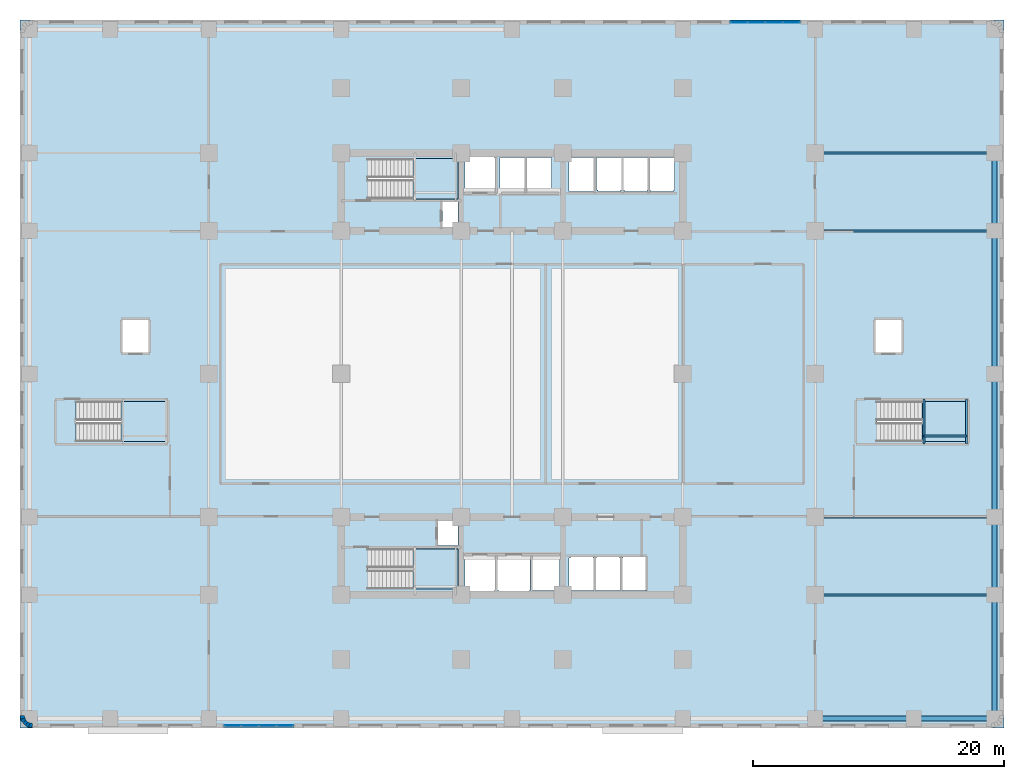
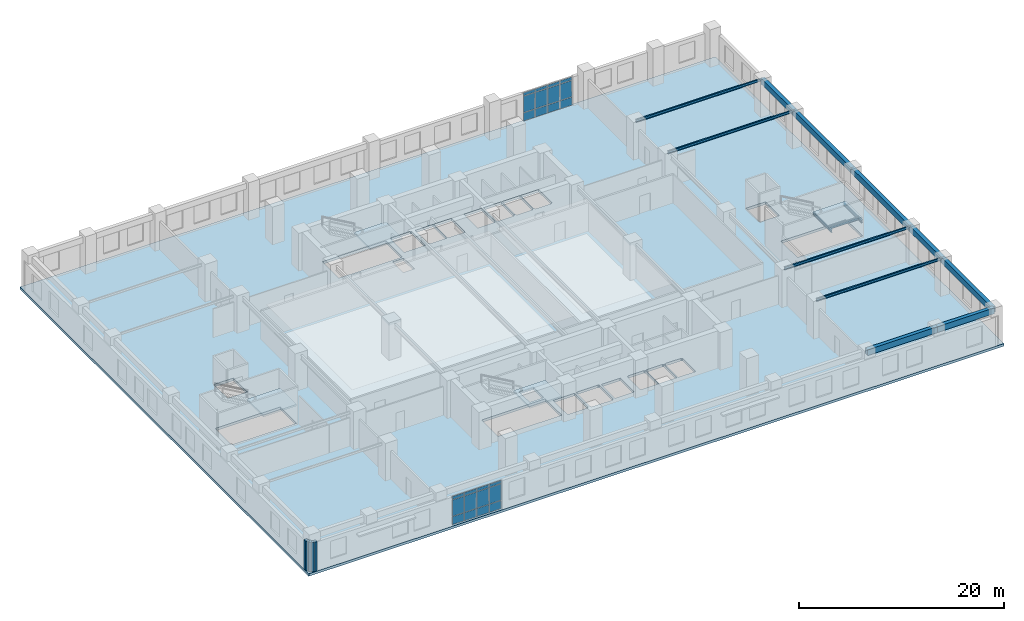
# One storey, part 5 of 16: 24 plates, 14 beams, 5 slabs, 5 walls, 6 elements without a shape of their own.
"""IFC4 building model written with IfcOpenShell, lengths in metres."""

from ifc_helpers import new_model, si_unit, direction, frame, frame_2d, origin, origin_2d, place, context, subcontext, project, spatial, polyline, rectangle, i_section, outline, extrude, material, layer, layer_set, material_profile, profile_set, type_object, element, aggregate, save


model = new_model("IFC4")

# Units and contexts
model_context = context("Model", 3, precision=1e-05, world=origin(), true_north=direction((0.0, 1.0)))
body_context = subcontext(model_context, "Body", "Model", "MODEL_VIEW")
ifc_project = project(units=[si_unit("LENGTHUNIT", "METRE"), si_unit("AREAUNIT", "SQUARE_METRE"), si_unit("VOLUMEUNIT", "CUBIC_METRE"), si_unit("PLANEANGLEUNIT", "RADIAN"), si_unit("MASSUNIT", "GRAM", prefix="KILO")], contexts=[model_context])

# Site, building, storey
site_placement = place(None, origin())
site = spatial("IfcSite", under=ifc_project, at=site_placement, CompositionType="ELEMENT")
building_placement = place(site_placement, origin())
building = spatial("IfcBuilding", under=site, at=building_placement, Name="Svetorya Sky Lyceum", CompositionType="ELEMENT")
storey_placement = place(building_placement, frame((0.0, 0.0, 11.10009765625)))
storey = spatial("IfcBuildingStorey", under=building, at=storey_placement, Name="L02", CompositionType="ELEMENT", Elevation=11.10009765625)

# Beams
ifc_material_1 = material(Name="Concrete C50/60", Category="concrete")
ifc_material_profile_1 = material_profile(ifc_material_1, rectangle(XDim=0.39990234375, YDim=0.699951171875, at=origin_2d()), Name="RC SPANDREL 400x700")
ifc_profile_set_1 = profile_set([ifc_material_profile_1], Name="Concrete C50/60")
beam_type_1 = type_object("IfcBeamType", Name="BM-SPN-700", PredefinedType="SPANDREL", material=ifc_profile_set_1)
beam_1_placement = place(storey_placement, frame((63.35009765625, 0.75, 3.849853515625), z_axis=(1.0, 0.0, 0.0), x_axis=(0.0, 1.0, 0.0)))
element("IfcBeam", 1, at=beam_1_placement, inside=storey, type_object=beam_type_1, Name="L02 Podium South Spandrel 7", PredefinedType="SPANDREL", context=body_context, shape_type="SweptSolid", body=[
    extrude(rectangle(XDim=0.39990234375, YDim=0.699951171875, at=origin_2d()), origin(), (0.0, 0.0, 1.0), 7.849853515625),
])
beam_2_placement = place(storey_placement, frame((71.199951171875, 0.75, 3.849853515625), z_axis=(1.0, 0.0, 0.0), x_axis=(0.0, 1.0, 0.0)))
element("IfcBeam", 2, at=beam_2_placement, inside=storey, type_object=beam_type_1, Name="L02 Podium South Spandrel 8", PredefinedType="SPANDREL", context=body_context, shape_type="SweptSolid", body=[
    extrude(rectangle(XDim=0.39990234375, YDim=0.699951171875, at=origin_2d()), origin(), (0.0, 0.0, 1.0), 6.449951171875),
])
beam_3_placement = place(storey_placement, frame((77.64990234375, 0.75, 3.849853515625), z_axis=(0.0, 1.0, 0.0), x_axis=(-1.0, 0.0, 0.0)))
element("IfcBeam", 3, at=beam_3_placement, inside=storey, type_object=beam_type_1, Name="L02 Podium East Spandrel 1", PredefinedType="SPANDREL", context=body_context, shape_type="SweptSolid", body=[
    extrude(rectangle(XDim=0.39990234375, YDim=0.699951171875, at=origin_2d()), origin(), (0.0, 0.0, 1.0), 9.85009765625),
])
beam_4_placement = place(storey_placement, frame((77.64990234375, 10.60009765625, 3.849853515625), z_axis=(0.0, 1.0, 0.0), x_axis=(-1.0, 0.0, 0.0)))
element("IfcBeam", 4, at=beam_4_placement, inside=storey, type_object=beam_type_1, Name="L02 Podium East Spandrel 2", PredefinedType="SPANDREL", context=body_context, shape_type="SweptSolid", body=[
    extrude(rectangle(XDim=0.39990234375, YDim=0.699951171875, at=origin_2d()), origin(), (0.0, 0.0, 1.0), 6.199951171875),
])
beam_5_placement = place(storey_placement, frame((77.64990234375, 16.800048828125, 3.849853515625), z_axis=(0.0, 1.0, 0.0), x_axis=(-1.0, 0.0, 0.0)))
element("IfcBeam", 5, at=beam_5_placement, inside=storey, type_object=beam_type_1, Name="L02 Podium East Spandrel 3", PredefinedType="SPANDREL", context=body_context, shape_type="SweptSolid", body=[
    extrude(rectangle(XDim=0.39990234375, YDim=0.699951171875, at=origin_2d()), origin(), (0.0, 0.0, 1.0), 11.39990234375),
])
beam_6_placement = place(storey_placement, frame((77.64990234375, 28.199951171875, 3.849853515625), z_axis=(0.0, 1.0, 0.0), x_axis=(-1.0, 0.0, 0.0)))
element("IfcBeam", 6, at=beam_6_placement, inside=storey, type_object=beam_type_1, Name="L02 Podium East Spandrel 4", PredefinedType="SPANDREL", context=body_context, shape_type="SweptSolid", body=[
    extrude(rectangle(XDim=0.39990234375, YDim=0.699951171875, at=origin_2d()), origin(), (0.0, 0.0, 1.0), 11.400146484375),
])
beam_7_placement = place(storey_placement, frame((77.64990234375, 39.60009765625, 3.849853515625), z_axis=(0.0, 1.0, 0.0), x_axis=(-1.0, 0.0, 0.0)))
element("IfcBeam", 7, at=beam_7_placement, inside=storey, type_object=beam_type_1, Name="L02 Podium East Spandrel 5", PredefinedType="SPANDREL", context=body_context, shape_type="SweptSolid", body=[
    extrude(rectangle(XDim=0.39990234375, YDim=0.699951171875, at=origin_2d()), origin(), (0.0, 0.0, 1.0), 6.199951171875),
])
ifc_material_2 = material(Name="Steel S355", Category="steel")
ifc_material_profile_2 = material_profile(ifc_material_2, i_section(OverallWidth=0.14990234375, OverallDepth=0.299072265625, WebThickness=0.006591796875, FlangeThickness=0.010498046875, at=origin_2d()), Name="GOST 30B2")
ifc_profile_set_2 = profile_set([ifc_material_profile_2], Name="Steel S355")
beam_type_2 = type_object("IfcBeamType", Name="BM-STL-30B2", PredefinedType="JOIST", material=ifc_profile_set_2)
for number, where, z_axis, x_axis, name in (
    (8, (63.35009765625, 10.60009765625, 4.05029296875), (1.0, 0.0, 0.0), (0.0, 1.0, 0.0), "L02 Podium Wing Joist E1"),
    (9, (63.35009765625, 16.800048828125, 4.05029296875), (1.0, 0.0, 0.0), (0.0, 1.0, 0.0), "L02 Podium Wing Joist E2"),
    (10, (63.35009765625, 39.60009765625, 4.05029296875), (1.0, 0.0, 0.0), (0.0, 1.0, 0.0), "L02 Podium Wing Joist E3"),
    (11, (63.35009765625, 45.800048828125, 4.05029296875), (1.0, 0.0, 0.0), (0.0, 1.0, 0.0), "L02 Podium Wing Joist E4"),
):
    element("IfcBeam", number, at=place(storey_placement, frame(where, z_axis=z_axis, x_axis=x_axis)), inside=storey, type_object=beam_type_2, Name=name, PredefinedType="JOIST", context=body_context, shape_type="SweptSolid", body=[
        extrude(i_section(OverallWidth=0.14990234375, OverallDepth=0.299072265625, WebThickness=0.006591796875, FlangeThickness=0.010498046875, at=origin_2d()), origin(), (0.0, 0.0, 1.0), 14.2998046875),
    ])
for number, where, z_axis, x_axis, name in (
    (12, (72.030029296875, 22.60009765625, 1.900390625), (0.0, 1.0, 0.0), (-1.0, 0.0, 0.0), "L02 Stair ST-SCH-E Half-Landing Support Beam 3.1"),
    (13, (75.419921875, 22.60009765625, 1.900390625), (0.0, 1.0, 0.0), (-1.0, 0.0, 0.0), "L02 Stair ST-SCH-E Half-Landing Support Beam 3.2"),
):
    element("IfcBeam", number, at=place(storey_placement, frame(where, z_axis=z_axis, x_axis=x_axis)), inside=storey, type_object=beam_type_2, Name=name, PredefinedType="JOIST", context=body_context, shape_type="SweptSolid", body=[
        extrude(i_section(OverallWidth=0.14990234375, OverallDepth=0.299072265625, WebThickness=0.006591796875, FlangeThickness=0.010498046875, at=origin_2d()), origin(), (0.0, 0.0, 1.0), 3.599853515625),
    ])
beam_8_placement = place(storey_placement, frame((72.030029296875, 23.25, 1.900390625), z_axis=(1.0, 0.0, 0.0), x_axis=(0.0, 1.0, 0.0)))
element("IfcBeam", 14, at=beam_8_placement, inside=storey, type_object=beam_type_2, Name="L02 Stair ST-SCH-E Half-Landing Cross Tie 3", PredefinedType="JOIST", context=body_context, shape_type="SweptSolid", body=[
    extrude(i_section(OverallWidth=0.14990234375, OverallDepth=0.299072265625, WebThickness=0.006591796875, FlangeThickness=0.010498046875, at=origin_2d()), origin(), (0.0, 0.0, 1.0), 3.389892578125),
])

# Curtain wall, plates
ifc_material_3 = material(Name="Thermally broken anodized aluminium and triple low-E glass", Category="aluminium")
curtain_wall_type = type_object("IfcCurtainWallType", Name="CW2-SCH-RIB", PredefinedType="NOTDEFINED", material=ifc_material_3)
curtain_wall_1_placement = place(storey_placement, origin())
curtain_wall_1 = element("IfcCurtainWall", 15, at=curtain_wall_1_placement, inside=storey, type_object=curtain_wall_type, Name="L02 Lyceum Classroom Ribbon Curtain Wall 6", PredefinedType="NOTDEFINED")
ifc_material_4 = material(Name="Triple insulated low-E solar-control glass", Category="glass")
ifc_layer_1 = layer(ifc_material_4, 0.048095703125)
ifc_layer_set_1 = layer_set([ifc_layer_1], Name="Triple insulated low-E solar-control glass")
plate_type = type_object("IfcPlateType", Name="CWP-GLZ-48", PredefinedType="CURTAIN_PANEL", material=ifc_layer_set_1)
plate_1_placement = place(storey_placement, frame((16.9462890625, 0.179931640625, 0.0634765625), z_axis=(0.0, 0.0, 1.0), x_axis=(1.0, 0.0, 0.0)))
plate_1 = element("IfcPlate", 16, at=plate_1_placement, type_object=plate_type, Name="CW-2 panel 1.1", PredefinedType="CURTAIN_PANEL", context=body_context, shape_type="SweptSolid", body=[
    extrude(rectangle(XDim=1.305419921875, YDim=0.048095703125, at=origin_2d()), origin(), (0.0, 0.0, 1.0), 0.949462890625),
])
plate_2_placement = place(storey_placement, frame((16.9462890625, 0.179931640625, 1.07470703125), z_axis=(0.0, 0.0, 1.0), x_axis=(1.0, 0.0, 0.0)))
plate_2 = element("IfcPlate", 17, at=plate_2_placement, type_object=plate_type, Name="CW-2 panel 1.2", PredefinedType="CURTAIN_PANEL", context=body_context, shape_type="SweptSolid", body=[
    extrude(rectangle(XDim=1.305419921875, YDim=0.048095703125, at=origin_2d()), origin(), (0.0, 0.0, 1.0), 1.924072265625),
])
plate_3_placement = place(storey_placement, frame((16.9462890625, 0.179931640625, 3.06103515625), z_axis=(0.0, 0.0, 1.0), x_axis=(1.0, 0.0, 0.0)))
plate_3 = element("IfcPlate", 18, at=plate_3_placement, type_object=plate_type, Name="CW-2 panel 1.3", PredefinedType="CURTAIN_PANEL", context=body_context, shape_type="SweptSolid", body=[
    extrude(rectangle(XDim=1.305419921875, YDim=0.048095703125, at=origin_2d()), origin(), (0.0, 0.0, 1.0), 0.35546875),
])
plate_4_placement = place(storey_placement, frame((18.330078125, 0.179931640625, 0.0634765625), z_axis=(0.0, 0.0, 1.0), x_axis=(1.0, 0.0, 0.0)))
plate_4 = element("IfcPlate", 19, at=plate_4_placement, type_object=plate_type, Name="CW-2 panel 2.1", PredefinedType="CURTAIN_PANEL", context=body_context, shape_type="SweptSolid", body=[
    extrude(rectangle(XDim=1.337890625, YDim=0.048095703125, at=origin_2d()), origin(), (0.0, 0.0, 1.0), 0.949462890625),
])
plate_5_placement = place(storey_placement, frame((18.330078125, 0.179931640625, 1.07470703125), z_axis=(0.0, 0.0, 1.0), x_axis=(1.0, 0.0, 0.0)))
plate_5 = element("IfcPlate", 20, at=plate_5_placement, type_object=plate_type, Name="CW-2 panel 2.2", PredefinedType="CURTAIN_PANEL", context=body_context, shape_type="SweptSolid", body=[
    extrude(rectangle(XDim=1.337890625, YDim=0.048095703125, at=origin_2d()), origin(), (0.0, 0.0, 1.0), 1.924072265625),
])
plate_6_placement = place(storey_placement, frame((18.330078125, 0.179931640625, 3.06103515625), z_axis=(0.0, 0.0, 1.0), x_axis=(1.0, 0.0, 0.0)))
plate_6 = element("IfcPlate", 21, at=plate_6_placement, type_object=plate_type, Name="CW-2 panel 2.3", PredefinedType="CURTAIN_PANEL", context=body_context, shape_type="SweptSolid", body=[
    extrude(rectangle(XDim=1.337890625, YDim=0.048095703125, at=origin_2d()), origin(), (0.0, 0.0, 1.0), 0.35546875),
])
plate_7_placement = place(storey_placement, frame((19.72998046875, 0.179931640625, 0.0634765625), z_axis=(0.0, 0.0, 1.0), x_axis=(1.0, 0.0, 0.0)))
plate_7 = element("IfcPlate", 22, at=plate_7_placement, type_object=plate_type, Name="CW-2 panel 3.1", PredefinedType="CURTAIN_PANEL", context=body_context, shape_type="SweptSolid", body=[
    extrude(rectangle(XDim=1.337890625, YDim=0.048095703125, at=origin_2d()), origin(), (0.0, 0.0, 1.0), 0.949462890625),
])
plate_8_placement = place(storey_placement, frame((19.72998046875, 0.179931640625, 1.07470703125), z_axis=(0.0, 0.0, 1.0), x_axis=(1.0, 0.0, 0.0)))
plate_8 = element("IfcPlate", 23, at=plate_8_placement, type_object=plate_type, Name="CW-2 panel 3.2", PredefinedType="CURTAIN_PANEL", context=body_context, shape_type="SweptSolid", body=[
    extrude(rectangle(XDim=1.337890625, YDim=0.048095703125, at=origin_2d()), origin(), (0.0, 0.0, 1.0), 1.924072265625),
])
plate_9_placement = place(storey_placement, frame((19.72998046875, 0.179931640625, 3.06103515625), z_axis=(0.0, 0.0, 1.0), x_axis=(1.0, 0.0, 0.0)))
plate_9 = element("IfcPlate", 24, at=plate_9_placement, type_object=plate_type, Name="CW-2 panel 3.3", PredefinedType="CURTAIN_PANEL", context=body_context, shape_type="SweptSolid", body=[
    extrude(rectangle(XDim=1.337890625, YDim=0.048095703125, at=origin_2d()), origin(), (0.0, 0.0, 1.0), 0.35546875),
])
plate_10_placement = place(storey_placement, frame((21.11376953125, 0.179931640625, 0.0634765625), z_axis=(0.0, 0.0, 1.0), x_axis=(1.0, 0.0, 0.0)))
plate_10 = element("IfcPlate", 25, at=plate_10_placement, type_object=plate_type, Name="CW-2 panel 4.1", PredefinedType="CURTAIN_PANEL", context=body_context, shape_type="SweptSolid", body=[
    extrude(rectangle(XDim=1.305419921875, YDim=0.048095703125, at=origin_2d()), origin(), (0.0, 0.0, 1.0), 0.949462890625),
])
plate_11_placement = place(storey_placement, frame((21.11376953125, 0.179931640625, 1.07470703125), z_axis=(0.0, 0.0, 1.0), x_axis=(1.0, 0.0, 0.0)))
plate_11 = element("IfcPlate", 26, at=plate_11_placement, type_object=plate_type, Name="CW-2 panel 4.2", PredefinedType="CURTAIN_PANEL", context=body_context, shape_type="SweptSolid", body=[
    extrude(rectangle(XDim=1.305419921875, YDim=0.048095703125, at=origin_2d()), origin(), (0.0, 0.0, 1.0), 1.924072265625),
])
plate_12_placement = place(storey_placement, frame((21.11376953125, 0.179931640625, 3.06103515625), z_axis=(0.0, 0.0, 1.0), x_axis=(1.0, 0.0, 0.0)))
plate_12 = element("IfcPlate", 27, at=plate_12_placement, type_object=plate_type, Name="CW-2 panel 4.3", PredefinedType="CURTAIN_PANEL", context=body_context, shape_type="SweptSolid", body=[
    extrude(rectangle(XDim=1.305419921875, YDim=0.048095703125, at=origin_2d()), origin(), (0.0, 0.0, 1.0), 0.35546875),
])
aggregate(curtain_wall_1, [plate_1, plate_2, plate_3, plate_4, plate_5, plate_6, plate_7, plate_8, plate_9, plate_10, plate_11, plate_12])

curtain_wall_2_placement = place(storey_placement, origin())
curtain_wall_2 = element("IfcCurtainWall", 28, at=curtain_wall_2_placement, inside=storey, type_object=curtain_wall_type, Name="L02 Lyceum Classroom Ribbon Curtain Wall 18", PredefinedType="NOTDEFINED")
plate_13_placement = place(storey_placement, frame((61.453857421875, 56.219970703125, 0.0634765625), z_axis=(0.0, 0.0, 1.0), x_axis=(-1.0, 0.0, 0.0)))
plate_13 = element("IfcPlate", 29, at=plate_13_placement, type_object=plate_type, Name="CW-2 panel 1.1", PredefinedType="CURTAIN_PANEL", context=body_context, shape_type="SweptSolid", body=[
    extrude(rectangle(XDim=1.305419921875, YDim=0.048095703125, at=origin_2d()), origin(), (0.0, 0.0, 1.0), 0.949462890625),
])
plate_14_placement = place(storey_placement, frame((61.453857421875, 56.219970703125, 1.07470703125), z_axis=(0.0, 0.0, 1.0), x_axis=(-1.0, 0.0, 0.0)))
plate_14 = element("IfcPlate", 30, at=plate_14_placement, type_object=plate_type, Name="CW-2 panel 1.2", PredefinedType="CURTAIN_PANEL", context=body_context, shape_type="SweptSolid", body=[
    extrude(rectangle(XDim=1.305419921875, YDim=0.048095703125, at=origin_2d()), origin(), (0.0, 0.0, 1.0), 1.924072265625),
])
plate_15_placement = place(storey_placement, frame((61.453857421875, 56.219970703125, 3.06103515625), z_axis=(0.0, 0.0, 1.0), x_axis=(-1.0, 0.0, 0.0)))
plate_15 = element("IfcPlate", 31, at=plate_15_placement, type_object=plate_type, Name="CW-2 panel 1.3", PredefinedType="CURTAIN_PANEL", context=body_context, shape_type="SweptSolid", body=[
    extrude(rectangle(XDim=1.305419921875, YDim=0.048095703125, at=origin_2d()), origin(), (0.0, 0.0, 1.0), 0.35546875),
])
plate_16_placement = place(storey_placement, frame((60.070068359375, 56.219970703125, 0.0634765625), z_axis=(0.0, 0.0, 1.0), x_axis=(-1.0, 0.0, 0.0)))
plate_16 = element("IfcPlate", 32, at=plate_16_placement, type_object=plate_type, Name="CW-2 panel 2.1", PredefinedType="CURTAIN_PANEL", context=body_context, shape_type="SweptSolid", body=[
    extrude(rectangle(XDim=1.337890625, YDim=0.048095703125, at=origin_2d()), origin(), (0.0, 0.0, 1.0), 0.949462890625),
])
plate_17_placement = place(storey_placement, frame((60.070068359375, 56.219970703125, 1.07470703125), z_axis=(0.0, 0.0, 1.0), x_axis=(-1.0, 0.0, 0.0)))
plate_17 = element("IfcPlate", 33, at=plate_17_placement, type_object=plate_type, Name="CW-2 panel 2.2", PredefinedType="CURTAIN_PANEL", context=body_context, shape_type="SweptSolid", body=[
    extrude(rectangle(XDim=1.337890625, YDim=0.048095703125, at=origin_2d()), origin(), (0.0, 0.0, 1.0), 1.924072265625),
])
plate_18_placement = place(storey_placement, frame((60.070068359375, 56.219970703125, 3.06103515625), z_axis=(0.0, 0.0, 1.0), x_axis=(-1.0, 0.0, 0.0)))
plate_18 = element("IfcPlate", 34, at=plate_18_placement, type_object=plate_type, Name="CW-2 panel 2.3", PredefinedType="CURTAIN_PANEL", context=body_context, shape_type="SweptSolid", body=[
    extrude(rectangle(XDim=1.337890625, YDim=0.048095703125, at=origin_2d()), origin(), (0.0, 0.0, 1.0), 0.35546875),
])
plate_19_placement = place(storey_placement, frame((58.669921875, 56.219970703125, 0.0634765625), z_axis=(0.0, 0.0, 1.0), x_axis=(-1.0, 0.0, 0.0)))
plate_19 = element("IfcPlate", 35, at=plate_19_placement, type_object=plate_type, Name="CW-2 panel 3.1", PredefinedType="CURTAIN_PANEL", context=body_context, shape_type="SweptSolid", body=[
    extrude(rectangle(XDim=1.337890625, YDim=0.048095703125, at=origin_2d()), origin(), (0.0, 0.0, 1.0), 0.949462890625),
])
plate_20_placement = place(storey_placement, frame((58.669921875, 56.219970703125, 1.07470703125), z_axis=(0.0, 0.0, 1.0), x_axis=(-1.0, 0.0, 0.0)))
plate_20 = element("IfcPlate", 36, at=plate_20_placement, type_object=plate_type, Name="CW-2 panel 3.2", PredefinedType="CURTAIN_PANEL", context=body_context, shape_type="SweptSolid", body=[
    extrude(rectangle(XDim=1.337890625, YDim=0.048095703125, at=origin_2d()), origin(), (0.0, 0.0, 1.0), 1.924072265625),
])
plate_21_placement = place(storey_placement, frame((58.669921875, 56.219970703125, 3.06103515625), z_axis=(0.0, 0.0, 1.0), x_axis=(-1.0, 0.0, 0.0)))
plate_21 = element("IfcPlate", 37, at=plate_21_placement, type_object=plate_type, Name="CW-2 panel 3.3", PredefinedType="CURTAIN_PANEL", context=body_context, shape_type="SweptSolid", body=[
    extrude(rectangle(XDim=1.337890625, YDim=0.048095703125, at=origin_2d()), origin(), (0.0, 0.0, 1.0), 0.35546875),
])
plate_22_placement = place(storey_placement, frame((57.2861328125, 56.219970703125, 0.0634765625), z_axis=(0.0, 0.0, 1.0), x_axis=(-1.0, 0.0, 0.0)))
plate_22 = element("IfcPlate", 38, at=plate_22_placement, type_object=plate_type, Name="CW-2 panel 4.1", PredefinedType="CURTAIN_PANEL", context=body_context, shape_type="SweptSolid", body=[
    extrude(rectangle(XDim=1.305419921875, YDim=0.048095703125, at=origin_2d()), origin(), (0.0, 0.0, 1.0), 0.949462890625),
])
plate_23_placement = place(storey_placement, frame((57.2861328125, 56.219970703125, 1.07470703125), z_axis=(0.0, 0.0, 1.0), x_axis=(-1.0, 0.0, 0.0)))
plate_23 = element("IfcPlate", 39, at=plate_23_placement, type_object=plate_type, Name="CW-2 panel 4.2", PredefinedType="CURTAIN_PANEL", context=body_context, shape_type="SweptSolid", body=[
    extrude(rectangle(XDim=1.305419921875, YDim=0.048095703125, at=origin_2d()), origin(), (0.0, 0.0, 1.0), 1.924072265625),
])
plate_24_placement = place(storey_placement, frame((57.2861328125, 56.219970703125, 3.06103515625), z_axis=(0.0, 0.0, 1.0), x_axis=(-1.0, 0.0, 0.0)))
plate_24 = element("IfcPlate", 40, at=plate_24_placement, type_object=plate_type, Name="CW-2 panel 4.3", PredefinedType="CURTAIN_PANEL", context=body_context, shape_type="SweptSolid", body=[
    extrude(rectangle(XDim=1.305419921875, YDim=0.048095703125, at=origin_2d()), origin(), (0.0, 0.0, 1.0), 0.35546875),
])
aggregate(curtain_wall_2, [plate_13, plate_14, plate_15, plate_16, plate_17, plate_18, plate_19, plate_20, plate_21, plate_22, plate_23, plate_24])

# Slab
ifc_material_5 = material(Name="Concrete C40/50", Category="concrete")
ifc_layer_2 = layer(ifc_material_5, 0.300048828125)
ifc_layer_set_2 = layer_set([ifc_layer_2], Name="Concrete C40/50")
slab_type_1 = type_object("IfcSlabType", Name="SL-POD-300", PredefinedType="FLOOR", material=ifc_layer_set_2)
slab_1_placement = place(storey_placement, frame((0.0, 0.0, -0.300048828125)))
element("IfcSlab", 41, at=slab_1_placement, inside=storey, type_object=slab_type_1, Name="L02 Structural Floor Slab", PredefinedType="FLOOR", context=body_context, shape_type="SweptSolid", body=[
    extrude(outline(polyline([(0.0, 0.0), (78.39990234375, 0.0), (78.39990234375, 56.39990234375), (0.0, 56.39990234375), (0.0, 0.0)]), holes=[polyline([(40.64990234375, 10.949951171875), (40.550048828125, 10.949951171875), (40.550048828125, 10.800048828125), (38.14990234375, 10.800048828125), (38.14990234375, 10.949951171875), (38.050048828125, 10.949951171875), (38.050048828125, 13.64990234375), (38.14990234375, 13.64990234375), (38.14990234375, 13.699951171875), (40.550048828125, 13.699951171875), (40.550048828125, 13.64990234375), (40.64990234375, 13.64990234375), (40.64990234375, 10.949951171875)]), polyline([(35.550048828125, 10.949951171875), (35.449951171875, 10.949951171875), (35.449951171875, 13.64990234375), (35.550048828125, 13.64990234375), (37.75, 13.64990234375), (37.85009765625, 13.64990234375), (37.85009765625, 10.949951171875), (37.75, 10.949951171875), (37.75, 10.85009765625), (35.550048828125, 10.85009765625), (35.550048828125, 10.949951171875)]), polyline([(40.85009765625, 13.64990234375), (43.0, 13.64990234375), (43.0, 10.949951171875), (40.85009765625, 10.949951171875), (40.85009765625, 13.64990234375)]), polyline([(27.719970703125, 14.25), (34.89990234375, 14.25), (34.89990234375, 11.050048828125), (27.719970703125, 11.050048828125), (27.719970703125, 14.25)]), polyline([(33.300048828125, 16.580078125), (34.89990234375, 16.580078125), (34.89990234375, 14.52001953125), (33.300048828125, 14.52001953125), (33.300048828125, 16.580078125)]), polyline([(4.469970703125, 26.0), (11.800048828125, 26.0), (11.800048828125, 22.800048828125), (4.469970703125, 22.800048828125), (4.469970703125, 26.0)]), polyline([(8.10009765625, 32.550048828125), (10.300048828125, 32.550048828125), (10.300048828125, 29.85009765625), (8.10009765625, 29.85009765625), (8.10009765625, 32.550048828125)]), polyline([(33.64990234375, 41.89990234375), (34.89990234375, 41.89990234375), (34.89990234375, 39.820068359375), (33.64990234375, 39.820068359375), (33.64990234375, 41.89990234375)]), polyline([(27.719970703125, 45.35009765625), (34.89990234375, 45.35009765625), (34.89990234375, 42.14990234375), (27.719970703125, 42.14990234375), (27.719970703125, 45.35009765625)]), polyline([(37.75, 45.449951171875), (37.85009765625, 45.449951171875), (37.85009765625, 42.75), (37.75, 42.75), (35.550048828125, 42.75), (35.449951171875, 42.75), (35.449951171875, 45.449951171875), (35.550048828125, 45.449951171875), (35.550048828125, 45.550048828125), (37.75, 45.550048828125), (37.75, 45.449951171875)]), polyline([(40.199951171875, 42.85009765625), (40.199951171875, 42.75), (38.39990234375, 42.75), (38.39990234375, 42.85009765625), (38.25, 42.85009765625), (38.25, 45.449951171875), (38.39990234375, 45.449951171875), (40.199951171875, 45.449951171875), (40.25, 45.449951171875), (40.25, 42.85009765625), (40.199951171875, 42.85009765625)]), polyline([(40.39990234375, 42.85009765625), (40.35009765625, 42.85009765625), (40.35009765625, 45.449951171875), (40.39990234375, 45.449951171875), (42.300048828125, 45.449951171875), (42.35009765625, 45.449951171875), (42.35009765625, 42.85009765625), (42.300048828125, 42.85009765625), (42.300048828125, 42.75), (40.39990234375, 42.75), (40.39990234375, 42.85009765625)]), polyline([(43.85009765625, 10.949951171875), (43.75, 10.949951171875), (43.75, 13.550048828125), (43.85009765625, 13.550048828125), (43.85009765625, 13.60009765625), (45.64990234375, 13.60009765625), (45.64990234375, 13.550048828125), (45.75, 13.550048828125), (45.75, 10.949951171875), (45.64990234375, 10.949951171875), (43.85009765625, 10.949951171875)]), polyline([(48.050048828125, 10.949951171875), (47.949951171875, 10.949951171875), (47.949951171875, 13.550048828125), (48.050048828125, 13.550048828125), (48.050048828125, 13.60009765625), (49.85009765625, 13.60009765625), (49.85009765625, 13.550048828125), (49.949951171875, 13.550048828125), (49.949951171875, 10.949951171875), (49.85009765625, 10.949951171875), (48.050048828125, 10.949951171875)]), polyline([(45.949951171875, 10.949951171875), (45.85009765625, 10.949951171875), (45.85009765625, 13.550048828125), (45.949951171875, 13.550048828125), (45.949951171875, 13.60009765625), (47.75, 13.60009765625), (47.75, 13.550048828125), (47.85009765625, 13.550048828125), (47.85009765625, 10.949951171875), (47.75, 10.949951171875), (45.949951171875, 10.949951171875)]), polyline([(75.60009765625, 26.0), (75.60009765625, 22.800048828125), (68.27001953125, 22.800048828125), (68.27001953125, 26.0), (75.60009765625, 26.0)]), polyline([(70.300048828125, 32.550048828125), (70.300048828125, 29.85009765625), (68.10009765625, 29.85009765625), (68.10009765625, 32.550048828125), (70.300048828125, 32.550048828125)]), polyline([(46.050048828125, 42.85009765625), (45.949951171875, 42.85009765625), (45.949951171875, 45.449951171875), (46.050048828125, 45.449951171875), (47.85009765625, 45.449951171875), (47.949951171875, 45.449951171875), (47.949951171875, 42.85009765625), (47.85009765625, 42.85009765625), (47.85009765625, 42.75), (46.050048828125, 42.75), (46.050048828125, 42.85009765625)]), polyline([(43.75, 42.85009765625), (43.75, 45.449951171875), (45.699951171875, 45.449951171875), (45.75, 45.449951171875), (45.75, 42.85009765625), (45.699951171875, 42.85009765625), (45.699951171875, 42.75), (43.75, 42.75), (43.75, 42.85009765625)]), polyline([(48.14990234375, 42.85009765625), (48.050048828125, 42.85009765625), (48.050048828125, 45.449951171875), (48.14990234375, 45.449951171875), (49.949951171875, 45.449951171875), (50.050048828125, 45.449951171875), (50.050048828125, 42.85009765625), (49.949951171875, 42.85009765625), (49.949951171875, 42.75), (48.14990234375, 42.75), (48.14990234375, 42.85009765625)]), polyline([(52.050048828125, 42.85009765625), (52.050048828125, 42.75), (50.25, 42.75), (50.25, 42.85009765625), (50.14990234375, 42.85009765625), (50.14990234375, 45.449951171875), (50.25, 45.449951171875), (52.050048828125, 45.449951171875), (52.14990234375, 45.449951171875), (52.14990234375, 42.85009765625), (52.050048828125, 42.85009765625)])]), origin(), (0.0, 0.0, 1.0), 0.300048828125),
])

# Stair, slab
stair_type_1 = type_object("IfcStairType", Name="STR-ST-S", PredefinedType="HALF_TURN_STAIR", material=ifc_material_5)
stair_1_placement = place(storey_placement, origin())
stair_1 = element("IfcStair", 42, at=stair_1_placement, inside=storey, type_object=stair_type_1, Name="L02 South Core Smoke-Free Exit Stair N2", PredefinedType="HALF_TURN_STAIR")
ifc_layer_3 = layer(ifc_material_5, 0.199951171875)
ifc_layer_set_3 = layer_set([ifc_layer_3], Name="Concrete C40/50")
slab_type_2 = type_object("IfcSlabType", Name="SL-STR-LAND-200", PredefinedType="LANDING", material=ifc_layer_set_3)
slab_2_placement = place(storey_placement, frame((0.0, 0.0, 2.0498046875)))
slab_2 = element("IfcSlab", 43, at=slab_2_placement, type_object=slab_type_2, Name="ST-S landing 1", PredefinedType="LANDING", context=body_context, shape_type="SweptSolid", body=[
    extrude(outline(polyline([(31.300048828125, 11.050048828125), (34.89990234375, 11.050048828125), (34.89990234375, 14.25), (31.300048828125, 14.25), (31.300048828125, 11.050048828125)])), origin(), (0.0, 0.0, 1.0), 0.2001953125),
])
aggregate(stair_1, [slab_2])

stair_type_2 = type_object("IfcStairType", Name="STR-ST-N", PredefinedType="HALF_TURN_STAIR", material=ifc_material_5)
stair_2_placement = place(storey_placement, origin())
stair_2 = element("IfcStair", 44, at=stair_2_placement, inside=storey, type_object=stair_type_2, Name="L02 North Core Smoke-Free Exit Stair N3", PredefinedType="HALF_TURN_STAIR")
slab_3_placement = place(storey_placement, frame((0.0, 0.0, 2.0498046875)))
slab_3 = element("IfcSlab", 45, at=slab_3_placement, type_object=slab_type_2, Name="ST-N landing 1", PredefinedType="LANDING", context=body_context, shape_type="SweptSolid", body=[
    extrude(outline(polyline([(31.300048828125, 42.14990234375), (34.89990234375, 42.14990234375), (34.89990234375, 45.35009765625), (31.300048828125, 45.35009765625), (31.300048828125, 42.14990234375)])), origin(), (0.0, 0.0, 1.0), 0.2001953125),
])
aggregate(stair_2, [slab_3])

stair_type_3 = type_object("IfcStairType", Name="STR-ST-SCH-W", PredefinedType="HALF_TURN_STAIR", material=ifc_material_5)
stair_3_placement = place(storey_placement, origin())
stair_3 = element("IfcStair", 46, at=stair_3_placement, inside=storey, type_object=stair_type_3, Name="L02 West Lyceum Podium Dedicated Stair", PredefinedType="HALF_TURN_STAIR")
slab_4_placement = place(storey_placement, frame((0.0, 0.0, 2.0498046875)))
slab_4 = element("IfcSlab", 47, at=slab_4_placement, type_object=slab_type_2, Name="ST-SCH-W landing 1", PredefinedType="LANDING", context=body_context, shape_type="SweptSolid", body=[
    extrude(outline(polyline([(8.050048828125, 22.800048828125), (11.800048828125, 22.800048828125), (11.800048828125, 26.0), (8.050048828125, 26.0), (8.050048828125, 22.800048828125)])), origin(), (0.0, 0.0, 1.0), 0.2001953125),
])
aggregate(stair_3, [slab_4])

stair_type_4 = type_object("IfcStairType", Name="STR-ST-SCH-E", PredefinedType="HALF_TURN_STAIR", material=ifc_material_5)
stair_4_placement = place(storey_placement, origin())
stair_4 = element("IfcStair", 48, at=stair_4_placement, inside=storey, type_object=stair_type_4, Name="L02 East Lyceum Podium Dedicated Stair", PredefinedType="HALF_TURN_STAIR")
slab_5_placement = place(storey_placement, frame((0.0, 0.0, 2.0498046875)))
slab_5 = element("IfcSlab", 49, at=slab_5_placement, type_object=slab_type_2, Name="ST-SCH-E landing 1", PredefinedType="LANDING", context=body_context, shape_type="SweptSolid", body=[
    extrude(outline(polyline([(71.85009765625, 22.800048828125), (75.60009765625, 22.800048828125), (75.60009765625, 26.0), (71.85009765625, 26.0), (71.85009765625, 22.800048828125)])), origin(), (0.0, 0.0, 1.0), 0.2001953125),
])
aggregate(stair_4, [slab_5])

# Walls
ifc_material_6 = material(Name="Putilovo limestone rainscreen on autoclaved cellular masonry", Category="masonry")
ifc_layer_4 = layer(ifc_material_6, 0.360107421875)
ifc_layer_set_4 = layer_set([ifc_layer_4], Name="Putilovo limestone rainscreen on autoclaved cellular masonry")
wall_type = type_object("IfcWallType", Name="WL-EXT-360", PredefinedType="SOLIDWALL", material=ifc_layer_set_4)
for number, where, z_axis, x_axis, name in (
    (50, (0.179931640625, 0.97998046875, 0.0), (0.0, 0.0, 1.0), (0.157115048735, -0.987580306335, 0.0), "L02 Limestone Exterior Wall 1M"),
    (51, (0.21923828125, 0.73291015625, 0.0), (0.0, 0.0, 1.0), (0.453443653591, -0.891284944907, 0.0), "L02 Limestone Exterior Wall 2M"),
    (52, (0.332763671875, 0.509765625, 0.0), (0.0, 0.0, 1.0), (0.707106781187, -0.707106781187, 0.0), "L02 Limestone Exterior Wall 3M"),
    (53, (0.509765625, 0.332763671875, 0.0), (0.0, 0.0, 1.0), (0.891284944907, -0.453443653591, 0.0), "L02 Limestone Exterior Wall 4M"),
    (54, (0.73291015625, 0.21923828125, 0.0), (0.0, 0.0, 1.0), (0.987580306335, -0.157115048735, 0.0), "L02 Limestone Exterior Wall 5M"),
):
    element("IfcWall", number, at=place(storey_placement, frame(where, z_axis=z_axis, x_axis=x_axis)), inside=storey, type_object=wall_type, Name=name, PredefinedType="SOLIDWALL", context=body_context, shape_type="SweptSolid", body=[
        extrude(rectangle(XDim=0.250244140625, YDim=0.360107421875, at=frame_2d((0.125, 0.0))), origin(), (0.0, 0.0, 1.0), 3.47998046875),
    ])

save(model, "model.ifc")
